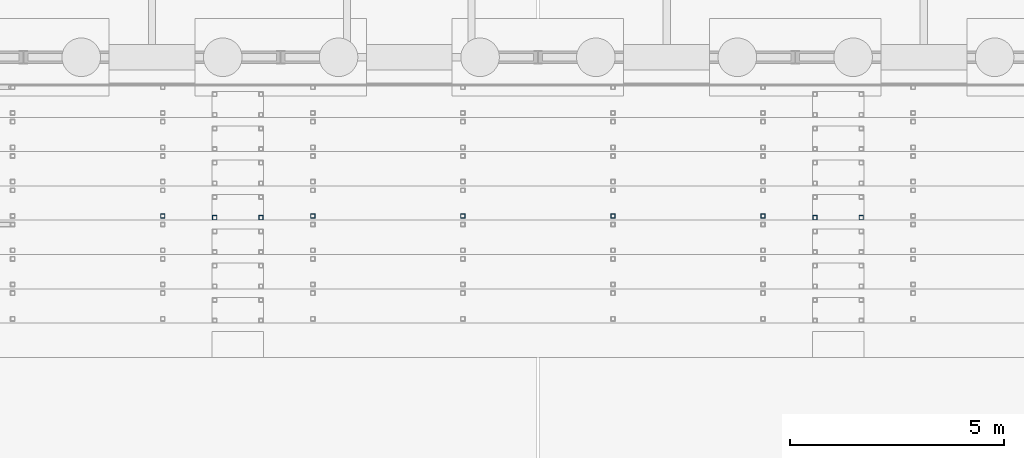
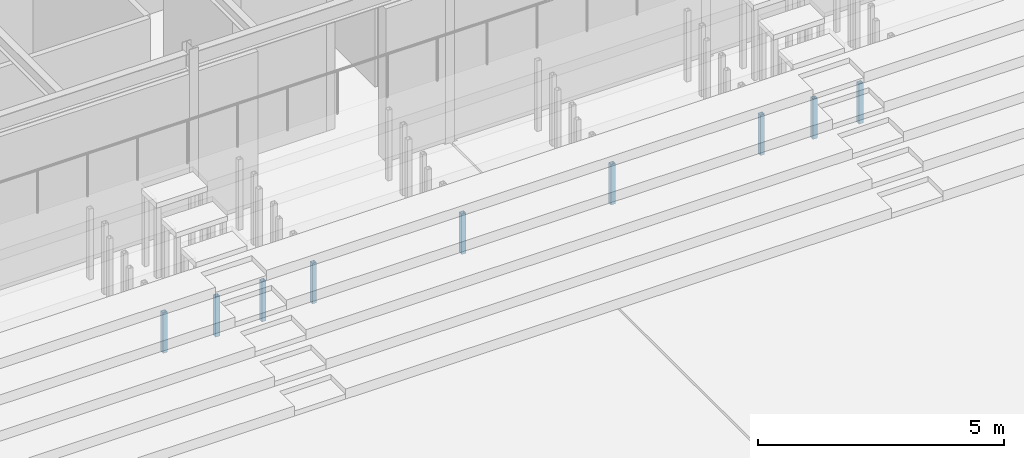
# One storey, part 30 of 139: 9 members.
"""IFC4 building model written with IfcOpenShell, lengths in metres."""

import ifcopenshell
import ifcopenshell.guid

model = None  # the IFC model being written
_history = None  # IfcOwnerHistory: only IFC2X3 demands one
_inside = {}  # id of a spatial element -> (the spatial element, [elements in it])
_under = {}  # id of a project, library or spatial element -> (it, [spatial elements below it])
_declared = {}  # id of a project -> (the project, [libraries it declares])
_typed = {}  # id of a type object -> (the type object, [elements of that type])
_made_of = {}  # id of a material, layer set ... -> (it, [elements and type objects made of it])


def new_model(schema):
    """Start an empty IFC model of exactly this schema.

    Asked for "IFC4X3", IfcOpenShell would pick the latest addendum, in which some entities
    have other attributes; the version numbers below select the first issue.
    IFC2X3 requires an IfcOwnerHistory on every rooted entity: one is made here for all.
    """
    global model, _history
    if schema == "IFC4X3":
        model = ifcopenshell.file(schema_version=(4, 3, 0, 0))
    else:
        model = ifcopenshell.file(schema=schema)
    _inside.clear()
    _under.clear()
    _declared.clear()
    _typed.clear()
    _made_of.clear()
    _history = None
    if model.schema == "IFC2X3":
        org = make("IfcOrganization", Name="unknown")
        user = make(
            "IfcPersonAndOrganization",
            ThePerson=make("IfcPerson", FamilyName="unknown"),
            TheOrganization=org,
        )
        app = make(
            "IfcApplication",
            ApplicationDeveloper=org,
            Version="unknown",
            ApplicationFullName="unknown",
            ApplicationIdentifier="unknown",
        )
        _history = make(
            "IfcOwnerHistory",
            OwningUser=user,
            OwningApplication=app,
            ChangeAction="ADDED",
            CreationDate=0,
        )
    return model


def make(cls, **values):
    """One entity of the class cls with the attributes given. An attribute that is None is left unset."""
    return model.create_entity(
        cls, **{name: value for name, value in values.items() if value is not None}
    )


def rooted(cls, **values):
    """An entity with a GlobalId (a new one), such as an element, a storey or a relation."""
    return make(cls, GlobalId=ifcopenshell.guid.new(), OwnerHistory=_history, **values)


def si_unit(unit_type, name, prefix=None):
    """IfcSIUnit, for example si_unit("LENGTHUNIT", "METRE", prefix="MILLI")."""
    return make("IfcSIUnit", UnitType=unit_type, Prefix=prefix, Name=name)


def assignment(units):
    """IfcUnitAssignment: the units of a project."""
    return None if units is None else make("IfcUnitAssignment", Units=units)


def point(xyz):
    """IfcCartesianPoint."""
    return None if xyz is None else make("IfcCartesianPoint", Coordinates=xyz)


def direction(xyz):
    """IfcDirection."""
    return None if xyz is None else make("IfcDirection", DirectionRatios=xyz)


def frame(location, z_axis=None, x_axis=None):
    """IfcAxis2Placement3D, a coordinate frame: its origin and axes. An axis left out is left unset."""
    return make(
        "IfcAxis2Placement3D",
        Location=point(location),
        Axis=direction(z_axis),
        RefDirection=direction(x_axis),
    )


def frame_2d(location, x_axis=None):
    """IfcAxis2Placement2D, a coordinate frame in the plane: its origin and x axis."""
    return make(
        "IfcAxis2Placement2D", Location=point(location), RefDirection=direction(x_axis)
    )


def origin():
    """The frame at (0, 0, 0) with its axes left unset."""
    return frame((0.0, 0.0, 0.0))


def origin_2d():
    """The frame at (0, 0) in the plane with its x axis left unset."""
    return frame_2d((0.0, 0.0))


def place(relative_to, where):
    """IfcLocalPlacement: puts the frame where relative to a parent placement (None: the world)."""
    return make(
        "IfcLocalPlacement", PlacementRelTo=relative_to, RelativePlacement=where
    )


def context(
    kind, dimensions, precision=None, world=None, true_north=None, identifier=None
):
    """IfcGeometricRepresentationContext, for example the 3D "Model" context."""
    return make(
        "IfcGeometricRepresentationContext",
        ContextIdentifier=identifier,
        ContextType=kind,
        CoordinateSpaceDimension=dimensions,
        Precision=precision,
        WorldCoordinateSystem=world,
        TrueNorth=true_north,
    )


def subcontext(parent, identifier, kind, view, scale=None):
    """IfcGeometricRepresentationSubContext, for example "Body" below "Model"."""
    return make(
        "IfcGeometricRepresentationSubContext",
        ContextIdentifier=identifier,
        ContextType=kind,
        ParentContext=parent,
        TargetScale=scale,
        TargetView=view,
    )


def project(units=None, contexts=None):
    """IfcProject with its units and contexts."""
    return rooted(
        "IfcProject",
        Name="project",
        RepresentationContexts=contexts,
        UnitsInContext=assignment(units),
    )


def spatial(cls, under=None, at=None, **own):
    """A site, building, storey or space (cls), placed at a placement, below another one or the project."""
    s = rooted(cls, ObjectPlacement=at, **own)
    if under is not None:
        _under.setdefault(under.id(), (under, []))[1].append(s)
    return s


def profile(cls, at=None, kind="AREA", **sizes):
    """A parametric profile (cls). Its sizes go by their IFC names, for example OverallWidth=200.0."""
    return make(cls, ProfileType=kind, Position=at, **sizes)


def hollow_rectangle(**sizes):
    """IfcRectangleHollowProfileDef."""
    return profile("IfcRectangleHollowProfileDef", **sizes)


def extrude(swept, where, along, depth):
    """IfcExtrudedAreaSolid: the profile swept, set in the frame where, extruded along a direction by depth."""
    return make(
        "IfcExtrudedAreaSolid",
        SweptArea=swept,
        Position=where,
        ExtrudedDirection=direction(along),
        Depth=depth,
    )


def shape(context_of_items, identifier, shape_type, items):
    """IfcShapeRepresentation: the items that make up one representation, for example the "Body"."""
    return make(
        "IfcShapeRepresentation",
        ContextOfItems=context_of_items,
        RepresentationIdentifier=identifier,
        RepresentationType=shape_type,
        Items=items,
    )


def material(Name=None, Category=None):
    """IfcMaterial."""
    return make("IfcMaterial", Name=Name, Category=Category)


def material_profile(
    of_material, cross_section, Name=None, Category=None, Priority=None
):
    """IfcMaterialProfile: a cross section and its material."""
    return make(
        "IfcMaterialProfile",
        Name=Name,
        Material=of_material,
        Profile=cross_section,
        Priority=Priority,
        Category=Category,
    )


def profile_set(profiles, Name=None, composite=None):
    """IfcMaterialProfileSet."""
    return make(
        "IfcMaterialProfileSet",
        Name=Name,
        MaterialProfiles=profiles,
        CompositeProfile=composite,
    )


def made_of(thing, what):
    """Note that an element or type object is made of a material, layer set ...; save() writes the relation."""
    if what is not None:
        _made_of.setdefault(what.id(), (what, []))[1].append(thing)
    return thing


def type_object(cls, material=None, **own):
    """A type object (cls), such as IfcWallType, which elements share."""
    return made_of(rooted(cls, **own), material)


def element(
    cls,
    number,
    at=None,
    inside=None,
    cuts=None,
    type_object=None,
    material=None,
    context=None,
    identifier="Body",
    shape_type=None,
    held_by="IfcProductDefinitionShape",
    body=None,
    shapes=None,
    **own,
):
    """One element of the class cls, such as IfcWall. Its Tag is "e" and its number.

    at: its placement. inside: the storey or other place that contains it. cuts: it is an
    opening in that element (IfcRelVoidsElement). A single representation is given by context,
    identifier, shape_type and body (its items); several are given by shapes. held_by: the class
    of the entity that holds the representations. save() writes the other relations.
    """
    e = rooted(cls, Tag="e%d" % number, ObjectPlacement=at, **own)
    if body is not None:
        shapes = [shape(context, identifier, shape_type, body)]
    if shapes is not None:
        e.Representation = make(held_by, Representations=shapes)
    if inside is not None:
        _inside.setdefault(inside.id(), (inside, []))[1].append(e)
    if cuts is not None:
        rooted(
            "IfcRelVoidsElement", RelatingBuildingElement=cuts, RelatedOpeningElement=e
        )
    if type_object is not None:
        _typed.setdefault(type_object.id(), (type_object, []))[1].append(e)
    return made_of(e, material)


def aggregate(whole, parts):
    """IfcRelAggregates: a whole, such as a stair, and the parts it consists of."""
    return rooted("IfcRelAggregates", RelatingObject=whole, RelatedObjects=parts)


def save(model, path):
    """Write the relations noted so far, then the file.

    IfcRelAggregates (storeys below a building ...), IfcRelContainedInSpatialStructure (elements
    in a storey), IfcRelDefinesByType, IfcRelAssociatesMaterial and IfcRelDeclares: one each for
    every whole, place, type object, material and project.
    """
    for whole, parts in _under.values():
        aggregate(whole, parts)
    for where, things in _inside.values():
        rooted(
            "IfcRelContainedInSpatialStructure",
            RelatedElements=things,
            RelatingStructure=where,
        )
    for kind, things in _typed.values():
        rooted("IfcRelDefinesByType", RelatedObjects=things, RelatingType=kind)
    for what, things in _made_of.values():
        rooted("IfcRelAssociatesMaterial", RelatedObjects=things, RelatingMaterial=what)
    for by, libraries in _declared.values():
        rooted("IfcRelDeclares", RelatingContext=by, RelatedDefinitions=libraries)
    model.write(path)


model = new_model("IFC4")

# Units and contexts
model_context = context("Model", 3, precision=1e-05, world=origin(), true_north=direction((0.0, 1.0)))
body_context = subcontext(model_context, "Body", "Model", "MODEL_VIEW")
ifc_project = project(units=[si_unit("LENGTHUNIT", "METRE"), si_unit("AREAUNIT", "SQUARE_METRE"), si_unit("VOLUMEUNIT", "CUBIC_METRE"), si_unit("PLANEANGLEUNIT", "RADIAN"), si_unit("MASSUNIT", "GRAM", prefix="KILO")], contexts=[model_context])

# Site, building, storey
site_placement = place(None, origin())
site = spatial("IfcSite", under=ifc_project, at=site_placement, CompositionType="ELEMENT")
building_placement = place(site_placement, origin())
building = spatial("IfcBuilding", under=site, at=building_placement, Name="Verrick Yard Athletic Hall", CompositionType="ELEMENT")
storey_placement = place(building_placement, origin())
storey = spatial("IfcBuildingStorey", under=building, at=storey_placement, Name="L00", CompositionType="ELEMENT", Elevation=0.0)

# Members
ifc_material = material(Name="Structural steel HSS Class C 350W (CSA G40.20/G40.21)", Category="steel")
ifc_material_profile = material_profile(ifc_material, hollow_rectangle(XDim=0.1015625, YDim=0.1015625, WallThickness=0.00634765625, at=origin_2d()), Name="HSS102x102x6.4")
ifc_profile_set = profile_set([ifc_material_profile], Name="Structural steel HSS Class C 350W (CSA G40.20/G40.21)")
member_type = type_object("IfcMemberType", Name="HB seating post HSS102x102x6.4", PredefinedType="POST", material=ifc_profile_set)
for number, where, z_axis, x_axis, name in (
    (1, (44.46044921875, 97.06005859375, 0.0), (0.0, 0.0, 1.0), (0.0, 1.0, 0.0), "HB-SP-RSB1-A1S5a"),
    (2, (45.540283203125, 97.06005859375, 0.0), (0.0, 0.0, 1.0), (0.0, 1.0, 0.0), "HB-SP-RSB1-A1S5b"),
    (3, (58.459716796875, 97.06005859375, 0.0), (0.0, 0.0, 1.0), (0.0, 1.0, 0.0), "HB-SP-RSB1-A2S5a"),
    (4, (59.53955078125, 97.06005859375, 0.0), (0.0, 0.0, 1.0), (0.0, 1.0, 0.0), "HB-SP-RSB1-A2S5b"),
    (5, (43.25048828125, 97.10009765625, 0.0), (0.0, 0.0, 1.0), (0.0, 1.0, 0.0), "HB-SP-RSB1-T5f3"),
    (6, (46.750244140625, 97.10009765625, 0.0), (0.0, 0.0, 1.0), (0.0, 1.0, 0.0), "HB-SP-RSB1-T5f4"),
    (7, (50.25, 97.10009765625, 0.0), (0.0, 0.0, 1.0), (0.0, 1.0, 0.0), "HB-SP-RSB1-T5f5"),
    (8, (53.75, 97.10009765625, 0.0), (0.0, 0.0, 1.0), (0.0, 1.0, 0.0), "HB-SP-RSB1-T5f6"),
    (9, (57.249755859375, 97.10009765625, 0.0), (0.0, 0.0, 1.0), (0.0, 1.0, 0.0), "HB-SP-RSB1-T5f7"),
):
    element("IfcMember", number, at=place(storey_placement, frame(where, z_axis=z_axis, x_axis=x_axis)), inside=storey, type_object=member_type, Name=name, PredefinedType="POST", context=body_context, shape_type="SweptSolid", body=[
        extrude(hollow_rectangle(XDim=0.1015625, YDim=0.1015625, WallThickness=0.00634765625, at=origin_2d()), origin(), (0.0, 0.0, 1.0), 1.0),
    ])

save(model, "model.ifc")
